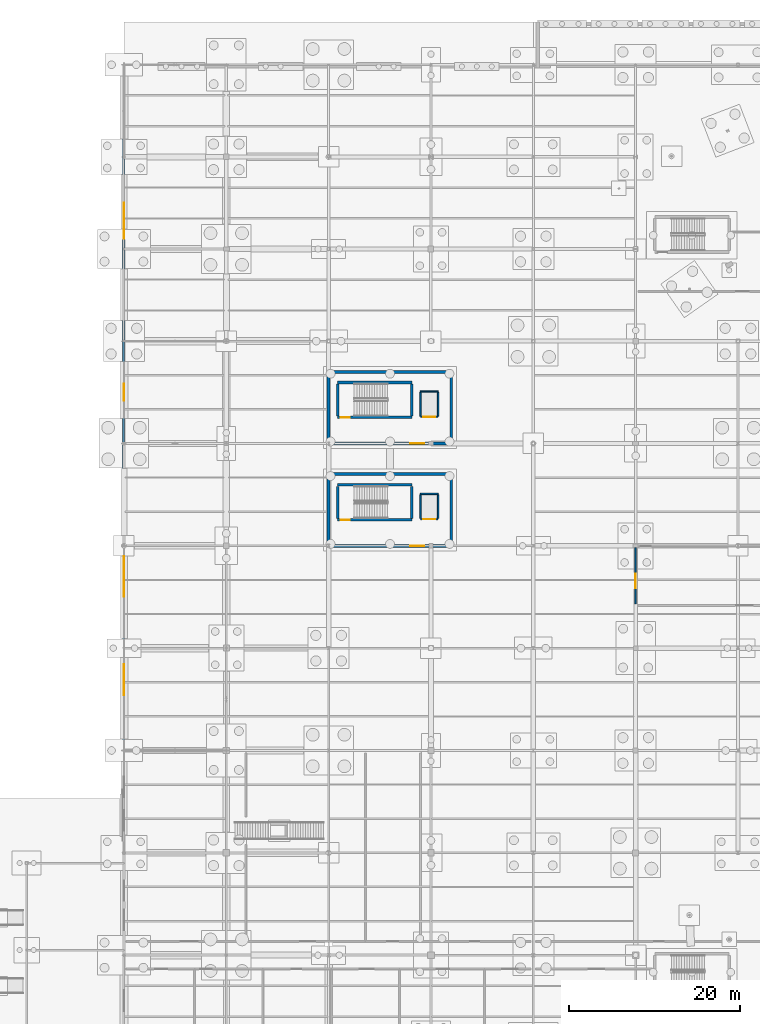
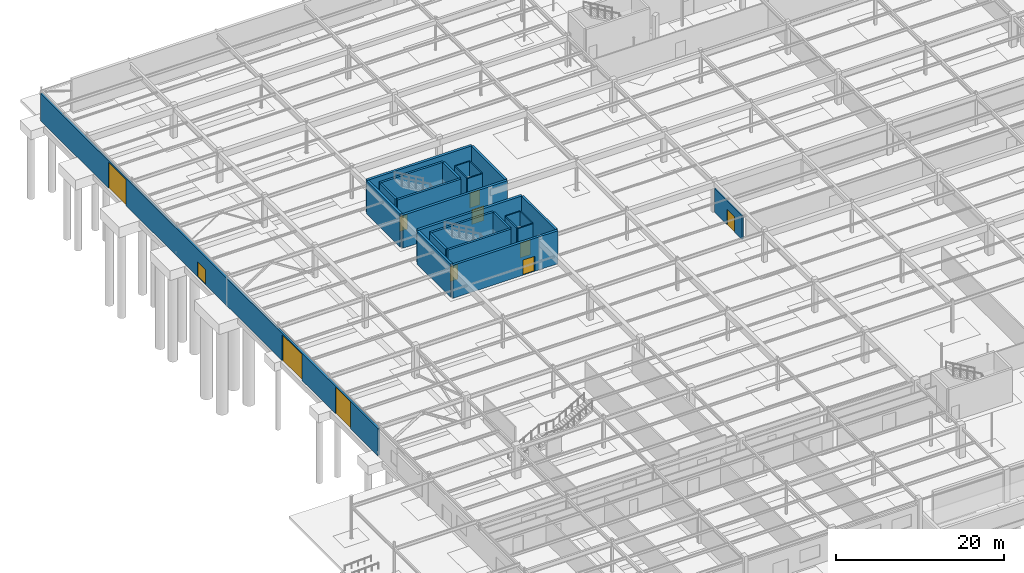
# One storey, part 121 of 136: 26 walls, 11 doors, 11 openings.
"""IFC4 building model written with IfcOpenShell, lengths in metres."""

from ifc_helpers import new_model, si_unit, direction, frame, frame_2d, origin, place, context, subcontext, project, spatial, rectangle, extrude, material, layer, layer_set, type_object, element, fill, save


model = new_model("IFC4")

# Units and contexts
model_context = context("Model", 3, precision=1e-05, world=origin(), true_north=direction((0.0, 1.0)))
body_context = subcontext(model_context, "Body", "Model", "MODEL_VIEW")
ifc_project = project(units=[si_unit("LENGTHUNIT", "METRE"), si_unit("AREAUNIT", "SQUARE_METRE"), si_unit("VOLUMEUNIT", "CUBIC_METRE"), si_unit("PLANEANGLEUNIT", "RADIAN"), si_unit("MASSUNIT", "GRAM", prefix="KILO")], contexts=[model_context])

# Site, building, storey
site_placement = place(None, origin())
site = spatial("IfcSite", under=ifc_project, at=site_placement, CompositionType="ELEMENT")
building_placement = place(site_placement, origin())
building = spatial("IfcBuilding", under=site, at=building_placement, Name="Tarnwether General Hospital", CompositionType="ELEMENT")
storey_placement = place(building_placement, frame((0.0, 0.0, -4.800048828125)))
storey = spatial("IfcBuildingStorey", under=building, at=storey_placement, Name="LG", CompositionType="ELEMENT", Elevation=-4.800048828125)

# Wall, openings, doors
ifc_material_1 = material(Name="Precast concrete 40 MPa", Category="concrete")
ifc_layer_1 = layer(ifc_material_1, 0.280029296875)
ifc_layer_set_1 = layer_set([ifc_layer_1], Name="Precast concrete 40 MPa")
wall_type_1 = type_object("IfcWallType", Name="WL-EX280", PredefinedType="STANDARD", material=ifc_layer_set_1)
wall_1_placement = place(storey_placement, frame((0.0, 45.60009765625, 0.0), z_axis=(0.0, 0.0, 1.0), x_axis=(0.0, 1.0, 0.0)))
wall_1 = element("IfcWall", 1, at=wall_1_placement, inside=storey, type_object=wall_type_1, Name="LG Car Park and Service West Wall EW-LG-0277", PredefinedType="STANDARD", context=body_context, shape_type="SweptSolid", body=[
    extrude(rectangle(XDim=80.39990234375, YDim=0.280029296875, at=frame_2d((40.199951171875, 0.0))), origin(), (0.0, 0.0, 1.0), 3.97998046875),
])
opening_1_placement = place(wall_1_placement, frame((6.5, 0.0, 0.0)))
opening_1 = element("IfcOpeningElement", 2, at=opening_1_placement, cuts=wall_1, Name="Opening VG-03", PredefinedType="OPENING", context=body_context, shape_type="SweptSolid", body=[
    extrude(rectangle(XDim=3.60009765625, YDim=3.89990234375, at=frame_2d((1.800048828125, 1.949951171875))), frame((0.0, 0.14990234375, 0.0), z_axis=(0.0, -1.0, 0.0), x_axis=(1.0, 0.0, 0.0)), (0.0, 0.0, 1.0), 0.300048828125),
])
opening_2_placement = place(wall_1_placement, frame((18.0, 0.0, 0.0)))
opening_2 = element("IfcOpeningElement", 3, at=opening_2_placement, cuts=wall_1, Name="Opening VG-01", PredefinedType="OPENING", context=body_context, shape_type="SweptSolid", body=[
    extrude(rectangle(XDim=4.800048828125, YDim=3.800048828125, at=frame_2d((2.39990234375, 1.89990234375))), frame((0.0, 0.14990234375, 0.0), z_axis=(0.0, -1.0, 0.0), x_axis=(1.0, 0.0, 0.0)), (0.0, 0.0, 1.0), 0.300048828125),
])
opening_3_placement = place(wall_1_placement, frame((60.0, 0.0, 0.0)))
opening_3 = element("IfcOpeningElement", 4, at=opening_3_placement, cuts=wall_1, Name="Opening VG-02", PredefinedType="OPENING", context=body_context, shape_type="SweptSolid", body=[
    extrude(rectangle(XDim=4.199951171875, YDim=3.800048828125, at=frame_2d((2.10009765625, 1.89990234375))), frame((0.0, 0.14990234375, 0.0), z_axis=(0.0, -1.0, 0.0), x_axis=(1.0, 0.0, 0.0)), (0.0, 0.0, 1.0), 0.300048828125),
])
opening_4_placement = place(wall_1_placement, frame((41.0, 0.0, 0.0)))
opening_4 = element("IfcOpeningElement", 5, at=opening_4_placement, cuts=wall_1, Name="Opening ED-04", PredefinedType="OPENING", context=body_context, shape_type="SweptSolid", body=[
    extrude(rectangle(XDim=2.02001953125, YDim=2.199951171875, at=frame_2d((1.010009765625, 1.10009765625))), frame((0.0, 0.14990234375, 0.0), z_axis=(0.0, -1.0, 0.0), x_axis=(1.0, 0.0, 0.0)), (0.0, 0.0, 1.0), 0.300048828125),
])
ifc_material_2 = material(Name="Anodised aluminium", Category="aluminium")
door_type_1 = type_object("IfcDoorType", Name="DR-EX04", OperationType="NOTDEFINED", PredefinedType="DOOR", material=ifc_material_2)
door_1_placement = place(opening_4_placement, origin())
door_1 = element("IfcDoor", 6, at=door_1_placement, inside=storey, type_object=door_type_1, Name="LG West Stair Discharge Exit ED-LG-0009", OperationType="DOUBLE_DOOR_SINGLE_SWING", OverallHeight=2.199951171875, OverallWidth=2.02001953125, PredefinedType="DOOR", context=body_context, shape_type="SweptSolid", body=[
    extrude(rectangle(XDim=2.02001953125, YDim=2.199951171875, at=frame_2d((1.010009765625, 1.10009765625))), frame((0.0, 0.02490234375, 0.0), z_axis=(0.0, -1.0, 0.0), x_axis=(1.0, 0.0, 0.0)), (0.0, 0.0, 1.0), 0.050048828125),
])
fill(opening_4, door_1)
ifc_material_3 = material(Name="Anodised aluminium", Category="aluminium")
door_type_2 = type_object("IfcDoorType", Name="DR-GT01", OperationType="NOTDEFINED", PredefinedType="GATE", material=ifc_material_3)
door_2_placement = place(opening_2_placement, origin())
door_2 = element("IfcDoor", 7, at=door_2_placement, inside=storey, type_object=door_type_2, Name="LG Car Park Vehicle Entry Gate ED-LG-0007", OperationType="SLIDING_TO_LEFT", OverallHeight=3.800048828125, OverallWidth=4.800048828125, PredefinedType="GATE", context=body_context, shape_type="SweptSolid", body=[
    extrude(rectangle(XDim=4.800048828125, YDim=3.800048828125, at=frame_2d((2.39990234375, 1.89990234375))), frame((0.0, 0.02490234375, 0.0), z_axis=(0.0, -1.0, 0.0), x_axis=(1.0, 0.0, 0.0)), (0.0, 0.0, 1.0), 0.050048828125),
])
fill(opening_2, door_2)
ifc_material_4 = material(Name="Anodised aluminium", Category="aluminium")
door_type_3 = type_object("IfcDoorType", Name="DR-GT02", OperationType="NOTDEFINED", PredefinedType="GATE", material=ifc_material_4)
door_3_placement = place(opening_3_placement, origin())
door_3 = element("IfcDoor", 8, at=door_3_placement, inside=storey, type_object=door_type_3, Name="LG Car Park Vehicle Exit Gate ED-LG-0008", OperationType="SLIDING_TO_RIGHT", OverallHeight=3.800048828125, OverallWidth=4.199951171875, PredefinedType="GATE", context=body_context, shape_type="SweptSolid", body=[
    extrude(rectangle(XDim=4.199951171875, YDim=3.800048828125, at=frame_2d((2.10009765625, 1.89990234375))), frame((0.0, 0.02490234375, 0.0), z_axis=(0.0, -1.0, 0.0), x_axis=(1.0, 0.0, 0.0)), (0.0, 0.0, 1.0), 0.050048828125),
])
fill(opening_3, door_3)
ifc_material_5 = material(Name="Anodised aluminium", Category="aluminium")
door_type_4 = type_object("IfcDoorType", Name="DR-GT03", OperationType="NOTDEFINED", PredefinedType="GATE", material=ifc_material_5)
door_4_placement = place(opening_1_placement, origin())
door_4 = element("IfcDoor", 9, at=door_4_placement, inside=storey, type_object=door_type_4, Name="LG Loading Dock Shutter Gate ED-LG-0006", OperationType="SLIDING_TO_LEFT", OverallHeight=3.89990234375, OverallWidth=3.60009765625, PredefinedType="GATE", context=body_context, shape_type="SweptSolid", body=[
    extrude(rectangle(XDim=3.60009765625, YDim=3.89990234375, at=frame_2d((1.800048828125, 1.949951171875))), frame((0.0, 0.02490234375, 0.0), z_axis=(0.0, -1.0, 0.0), x_axis=(1.0, 0.0, 0.0)), (0.0, 0.0, 1.0), 0.050048828125),
])
fill(opening_1, door_4)

# Wall, opening, door
ifc_material_6 = material(Name="Gypsum plasterboard")
ifc_layer_2 = layer(ifc_material_6, 0.159912109375)
ifc_layer_set_2 = layer_set([ifc_layer_2], Name="Gypsum plasterboard")
wall_type_2 = type_object("IfcWallType", Name="WL-PT160", PredefinedType="PARTITIONING", material=ifc_layer_set_2)
wall_2_placement = place(storey_placement, frame((34.760009765625, 72.7099609375, 0.0), z_axis=(0.0, 0.0, 1.0), x_axis=(1.0, 0.0, 0.0)))
wall_2 = element("IfcWall", 10, at=wall_2_placement, inside=storey, type_object=wall_type_2, Name="Lift L-07 Shaft Wall LSH-L-07-LG-S", PredefinedType="PARTITIONING", context=body_context, shape_type="SweptSolid", body=[
    extrude(rectangle(XDim=2.080078125, YDim=0.159912109375, at=frame_2d((1.0400390625, 0.0))), origin(), (0.0, 0.0, 1.0), 4.429931640625),
])
opening_5_placement = place(wall_2_placement, frame((0.340087890625, 0.0, 0.0)))
opening_5 = element("IfcOpeningElement", 11, at=opening_5_placement, cuts=wall_2, Name="Opening LD-01", PredefinedType="OPENING", context=body_context, shape_type="SweptSolid", body=[
    extrude(rectangle(XDim=1.39990234375, YDim=2.199951171875, at=frame_2d((0.699951171875, 1.10009765625))), frame((0.0, 0.08984375, 0.0), z_axis=(0.0, -1.0, 0.0), x_axis=(1.0, 0.0, 0.0)), (0.0, 0.0, 1.0), 0.179931640625),
])
ifc_material_7 = material(Name="Anodised aluminium", Category="aluminium")
door_type_5 = type_object("IfcDoorType", Name="DR-LD01", OperationType="NOTDEFINED", PredefinedType="DOOR", material=ifc_material_7)
door_5_placement = place(opening_5_placement, origin())
door_5 = element("IfcDoor", 12, at=door_5_placement, inside=storey, type_object=door_type_5, Name="Lift L-07 Sliding Landing Door LG", OperationType="SLIDING_TO_LEFT", OverallHeight=2.199951171875, OverallWidth=1.39990234375, PredefinedType="DOOR", context=body_context, shape_type="SweptSolid", body=[
    extrude(rectangle(XDim=1.39990234375, YDim=2.199951171875, at=frame_2d((0.699951171875, 1.10009765625))), frame((0.0, 0.02490234375, 0.0), z_axis=(0.0, -1.0, 0.0), x_axis=(1.0, 0.0, 0.0)), (0.0, 0.0, 1.0), 0.050048828125),
])
fill(opening_5, door_5)

# Walls
wall_3_placement = place(storey_placement, frame((36.840087890625, 75.68994140625, 0.0), z_axis=(0.0, 0.0, 1.0), x_axis=(-1.0, 0.0, 0.0)))
element("IfcWall", 13, at=wall_3_placement, inside=storey, type_object=wall_type_2, Name="Lift L-07 Shaft Wall LSH-L-07-LG-N", PredefinedType="PARTITIONING", context=body_context, shape_type="SweptSolid", body=[
    extrude(rectangle(XDim=2.080078125, YDim=0.159912109375, at=frame_2d((1.0400390625, 0.0))), origin(), (0.0, 0.0, 1.0), 4.429931640625),
])
for number, where, z_axis, x_axis, name in (
    (14, (34.760009765625, 75.590087890625, 0.0), (0.0, 0.0, 1.0), (0.0, -1.0, 0.0), "Lift L-07 Shaft Wall LSH-L-07-LG-W"),
    (15, (36.840087890625, 72.81005859375, 0.0), (0.0, 0.0, 1.0), (0.0, 1.0, 0.0), "Lift L-07 Shaft Wall LSH-L-07-LG-E"),
):
    element("IfcWall", number, at=place(storey_placement, frame(where, z_axis=z_axis, x_axis=x_axis)), inside=storey, type_object=wall_type_2, Name=name, PredefinedType="PARTITIONING", context=body_context, shape_type="SweptSolid", body=[
        extrude(rectangle(XDim=2.780029296875, YDim=0.159912109375, at=frame_2d((1.39013671875, 0.0))), origin(), (0.0, 0.0, 1.0), 4.429931640625),
    ])

# Wall, opening, door
wall_4_placement = place(storey_placement, frame((34.760009765625, 84.7099609375, 0.0), z_axis=(0.0, 0.0, 1.0), x_axis=(1.0, 0.0, 0.0)))
wall_4 = element("IfcWall", 16, at=wall_4_placement, inside=storey, type_object=wall_type_2, Name="Lift L-08 Shaft Wall LSH-L-08-LG-S", PredefinedType="PARTITIONING", context=body_context, shape_type="SweptSolid", body=[
    extrude(rectangle(XDim=2.080078125, YDim=0.159912109375, at=frame_2d((1.0400390625, 0.0))), origin(), (0.0, 0.0, 1.0), 4.429931640625),
])
opening_6_placement = place(wall_4_placement, frame((0.340087890625, 0.0, 0.0)))
opening_6 = element("IfcOpeningElement", 17, at=opening_6_placement, cuts=wall_4, Name="Opening LD-01", PredefinedType="OPENING", context=body_context, shape_type="SweptSolid", body=[
    extrude(rectangle(XDim=1.39990234375, YDim=2.199951171875, at=frame_2d((0.699951171875, 1.10009765625))), frame((0.0, 0.08984375, 0.0), z_axis=(0.0, -1.0, 0.0), x_axis=(1.0, 0.0, 0.0)), (0.0, 0.0, 1.0), 0.179931640625),
])
door_6_placement = place(opening_6_placement, origin())
door_6 = element("IfcDoor", 18, at=door_6_placement, inside=storey, type_object=door_type_5, Name="Lift L-08 Sliding Landing Door LG", OperationType="SLIDING_TO_LEFT", OverallHeight=2.199951171875, OverallWidth=1.39990234375, PredefinedType="DOOR", context=body_context, shape_type="SweptSolid", body=[
    extrude(rectangle(XDim=1.39990234375, YDim=2.199951171875, at=frame_2d((0.699951171875, 1.10009765625))), frame((0.0, 0.02490234375, 0.0), z_axis=(0.0, -1.0, 0.0), x_axis=(1.0, 0.0, 0.0)), (0.0, 0.0, 1.0), 0.050048828125),
])
fill(opening_6, door_6)

# Walls
wall_5_placement = place(storey_placement, frame((36.840087890625, 87.68994140625, 0.0), z_axis=(0.0, 0.0, 1.0), x_axis=(-1.0, 0.0, 0.0)))
element("IfcWall", 19, at=wall_5_placement, inside=storey, type_object=wall_type_2, Name="Lift L-08 Shaft Wall LSH-L-08-LG-N", PredefinedType="PARTITIONING", context=body_context, shape_type="SweptSolid", body=[
    extrude(rectangle(XDim=2.080078125, YDim=0.159912109375, at=frame_2d((1.0400390625, 0.0))), origin(), (0.0, 0.0, 1.0), 4.429931640625),
])
for number, where, z_axis, x_axis, name in (
    (20, (34.760009765625, 87.590087890625, 0.0), (0.0, 0.0, 1.0), (0.0, -1.0, 0.0), "Lift L-08 Shaft Wall LSH-L-08-LG-W"),
    (21, (36.840087890625, 84.81005859375, 0.0), (0.0, 0.0, 1.0), (0.0, 1.0, 0.0), "Lift L-08 Shaft Wall LSH-L-08-LG-E"),
):
    element("IfcWall", number, at=place(storey_placement, frame(where, z_axis=z_axis, x_axis=x_axis)), inside=storey, type_object=wall_type_2, Name=name, PredefinedType="PARTITIONING", context=body_context, shape_type="SweptSolid", body=[
        extrude(rectangle(XDim=2.780029296875, YDim=0.159912109375, at=frame_2d((1.39013671875, 0.0))), origin(), (0.0, 0.0, 1.0), 4.429931640625),
    ])

# Wall, opening, door
ifc_material_8 = material(Name="Gypsum plasterboard")
ifc_layer_3 = layer(ifc_material_8, 0.179931640625)
ifc_layer_set_3 = layer_set([ifc_layer_3], Name="Gypsum plasterboard")
wall_type_3 = type_object("IfcWallType", Name="WL-PT180", PredefinedType="PARTITIONING", material=ifc_layer_set_3)
wall_6_placement = place(storey_placement, frame((60.0, 62.800048828125, 0.0), z_axis=(0.0, 0.0, 1.0), x_axis=(0.0, 1.0, 0.0)))
wall_6 = element("IfcWall", 22, at=wall_6_placement, inside=storey, type_object=wall_type_3, Name="Interior Partition PT-LG-0020", PredefinedType="PARTITIONING", context=body_context, shape_type="SweptSolid", body=[
    extrude(rectangle(XDim=6.599853515625, YDim=0.179931640625, at=frame_2d((3.2998046875, 0.0))), origin(), (0.0, 0.0, 1.0), 3.465087890625),
])
opening_7_placement = place(wall_6_placement, frame((1.800048828125, 0.0, 0.0)))
opening_7 = element("IfcOpeningElement", 23, at=opening_7_placement, cuts=wall_6, Name="Opening FD-07", PredefinedType="OPENING", context=body_context, shape_type="SweptSolid", body=[
    extrude(rectangle(XDim=1.75, YDim=2.25, at=frame_2d((0.875, 1.125))), frame((0.0, 0.10009765625, 0.0), z_axis=(0.0, -1.0, 0.0), x_axis=(1.0, 0.0, 0.0)), (0.0, 0.0, 1.0), 0.199951171875),
])
ifc_material_9 = material(Name="Anodised aluminium", Category="aluminium")
door_type_6 = type_object("IfcDoorType", Name="DR-FD07", OperationType="NOTDEFINED", PredefinedType="DOOR", material=ifc_material_9)
door_7_placement = place(opening_7_placement, origin())
door_7 = element("IfcDoor", 24, at=door_7_placement, inside=storey, type_object=door_type_6, Name="Interior Door DR-LG-0011", OperationType="DOUBLE_DOOR_SINGLE_SWING", OverallHeight=2.25, OverallWidth=1.75, PredefinedType="DOOR", context=body_context, shape_type="SweptSolid", body=[
    extrude(rectangle(XDim=1.75, YDim=2.25, at=frame_2d((0.875, 1.125))), frame((0.0, 0.02490234375, 0.0), z_axis=(0.0, -1.0, 0.0), x_axis=(1.0, 0.0, 0.0)), (0.0, 0.0, 1.0), 0.050048828125),
])
fill(opening_7, door_7)

# Walls
ifc_material_10 = material(Name="Concrete 50 MPa", Category="concrete")
ifc_layer_4 = layer(ifc_material_10, 0.300048828125)
ifc_layer_set_4 = layer_set([ifc_layer_4], Name="Concrete 50 MPa")
wall_type_4 = type_object("IfcWallType", Name="WL-SW300", PredefinedType="SHEAR", material=ifc_layer_set_4)
for number, where, z_axis, x_axis, name in (
    (25, (38.39990234375, 77.800048828125, 0.0), (0.0, 0.0, 1.0), (0.0, -1.0, 0.0), "Core Shear Wall CWALL-K3-LG-E"),
    (26, (38.39990234375, 89.800048828125, 0.0), (0.0, 0.0, 1.0), (0.0, -1.0, 0.0), "Core Shear Wall CWALL-K4-LG-E"),
):
    element("IfcWall", number, at=place(storey_placement, frame(where, z_axis=z_axis, x_axis=x_axis)), inside=storey, type_object=wall_type_4, Name=name, PredefinedType="SHEAR", context=body_context, shape_type="SweptSolid", body=[
        extrude(rectangle(XDim=8.0, YDim=0.300048828125, at=frame_2d((4.0, 0.0))), origin(), (0.0, 0.0, 1.0), 4.800048828125),
    ])

# Wall, opening, door
wall_7_placement = place(storey_placement, frame((25.050048828125, 72.64990234375, 0.0), z_axis=(0.0, 0.0, 1.0), x_axis=(1.0, 0.0, 0.0)))
wall_7 = element("IfcWall", 27, at=wall_7_placement, inside=storey, type_object=wall_type_4, Name="Stairwell Shear Wall STW-ST-03-LG-B", PredefinedType="SHEAR", context=body_context, shape_type="SweptSolid", body=[
    extrude(rectangle(XDim=8.699951171875, YDim=0.300048828125, at=frame_2d((4.35009765625, 0.0))), origin(), (0.0, 0.0, 1.0), 4.800048828125),
])
opening_8_placement = place(wall_7_placement, frame((0.35009765625, 0.0, 0.0)))
opening_8 = element("IfcOpeningElement", 28, at=opening_8_placement, cuts=wall_7, Name="Opening FD-06", PredefinedType="OPENING", context=body_context, shape_type="SweptSolid", body=[
    extrude(rectangle(XDim=1.10009765625, YDim=2.14990234375, at=frame_2d((0.550048828125, 1.074951171875))), frame((0.0, 0.16015625, 0.0), z_axis=(0.0, -1.0, 0.0), x_axis=(1.0, 0.0, 0.0)), (0.0, 0.0, 1.0), 0.320068359375),
])
ifc_material_11 = material(Name="Anodised aluminium", Category="aluminium")
door_type_7 = type_object("IfcDoorType", Name="DR-FD06", OperationType="NOTDEFINED", PredefinedType="DOOR", material=ifc_material_11)
door_8_placement = place(opening_8_placement, origin())
door_8 = element("IfcDoor", 29, at=door_8_placement, inside=storey, type_object=door_type_7, Name="Stairwell ST-03 Safe-Path Fire Door LG", OperationType="SINGLE_SWING_LEFT", OverallHeight=2.14990234375, OverallWidth=1.10009765625, PredefinedType="DOOR", context=body_context, shape_type="SweptSolid", body=[
    extrude(rectangle(XDim=1.10009765625, YDim=2.14990234375, at=frame_2d((0.550048828125, 1.074951171875))), frame((0.0, 0.02490234375, 0.0), z_axis=(0.0, -1.0, 0.0), x_axis=(1.0, 0.0, 0.0)), (0.0, 0.0, 1.0), 0.050048828125),
])
fill(opening_8, door_8)

# Walls
wall_8_placement = place(storey_placement, frame((33.75, 76.75, 0.0), z_axis=(0.0, 0.0, 1.0), x_axis=(-1.0, 0.0, 0.0)))
element("IfcWall", 30, at=wall_8_placement, inside=storey, type_object=wall_type_4, Name="Stairwell Shear Wall STW-ST-03-LG-N", PredefinedType="SHEAR", context=body_context, shape_type="SweptSolid", body=[
    extrude(rectangle(XDim=8.699951171875, YDim=0.300048828125, at=frame_2d((4.35009765625, 0.0))), origin(), (0.0, 0.0, 1.0), 4.800048828125),
])
for number, where, z_axis, x_axis, name in (
    (31, (25.050048828125, 72.820068359375, 0.0), (0.0, 0.0, 1.0), (0.0, 1.0, 0.0), "Stairwell Shear Wall STW-ST-03-LG-L"),
    (32, (33.75, 72.820068359375, 0.0), (0.0, 0.0, 1.0), (0.0, 1.0, 0.0), "Stairwell Shear Wall STW-ST-03-LG-F"),
):
    element("IfcWall", number, at=place(storey_placement, frame(where, z_axis=z_axis, x_axis=x_axis)), inside=storey, type_object=wall_type_4, Name=name, PredefinedType="SHEAR", context=body_context, shape_type="SweptSolid", body=[
        extrude(rectangle(XDim=3.760009765625, YDim=0.300048828125, at=frame_2d((1.8798828125, 0.0))), origin(), (0.0, 0.0, 1.0), 4.800048828125),
    ])

# Wall, opening, door
wall_9_placement = place(storey_placement, frame((25.050048828125, 84.64990234375, 0.0), z_axis=(0.0, 0.0, 1.0), x_axis=(1.0, 0.0, 0.0)))
wall_9 = element("IfcWall", 33, at=wall_9_placement, inside=storey, type_object=wall_type_4, Name="Stairwell Shear Wall STW-ST-04-LG-B", PredefinedType="SHEAR", context=body_context, shape_type="SweptSolid", body=[
    extrude(rectangle(XDim=8.699951171875, YDim=0.300048828125, at=frame_2d((4.35009765625, 0.0))), origin(), (0.0, 0.0, 1.0), 4.800048828125),
])
opening_9_placement = place(wall_9_placement, frame((0.35009765625, 0.0, 0.0)))
opening_9 = element("IfcOpeningElement", 34, at=opening_9_placement, cuts=wall_9, Name="Opening FD-06", PredefinedType="OPENING", context=body_context, shape_type="SweptSolid", body=[
    extrude(rectangle(XDim=1.10009765625, YDim=2.14990234375, at=frame_2d((0.550048828125, 1.074951171875))), frame((0.0, 0.16015625, 0.0), z_axis=(0.0, -1.0, 0.0), x_axis=(1.0, 0.0, 0.0)), (0.0, 0.0, 1.0), 0.320068359375),
])
door_9_placement = place(opening_9_placement, origin())
door_9 = element("IfcDoor", 35, at=door_9_placement, inside=storey, type_object=door_type_7, Name="Stairwell ST-04 Safe-Path Fire Door LG", OperationType="SINGLE_SWING_LEFT", OverallHeight=2.14990234375, OverallWidth=1.10009765625, PredefinedType="DOOR", context=body_context, shape_type="SweptSolid", body=[
    extrude(rectangle(XDim=1.10009765625, YDim=2.14990234375, at=frame_2d((0.550048828125, 1.074951171875))), frame((0.0, 0.02490234375, 0.0), z_axis=(0.0, -1.0, 0.0), x_axis=(1.0, 0.0, 0.0)), (0.0, 0.0, 1.0), 0.050048828125),
])
fill(opening_9, door_9)

# Walls
wall_10_placement = place(storey_placement, frame((33.75, 88.75, 0.0), z_axis=(0.0, 0.0, 1.0), x_axis=(-1.0, 0.0, 0.0)))
element("IfcWall", 36, at=wall_10_placement, inside=storey, type_object=wall_type_4, Name="Stairwell Shear Wall STW-ST-04-LG-N", PredefinedType="SHEAR", context=body_context, shape_type="SweptSolid", body=[
    extrude(rectangle(XDim=8.699951171875, YDim=0.300048828125, at=frame_2d((4.35009765625, 0.0))), origin(), (0.0, 0.0, 1.0), 4.800048828125),
])
for number, where, z_axis, x_axis, name in (
    (37, (25.050048828125, 84.820068359375, 0.0), (0.0, 0.0, 1.0), (0.0, 1.0, 0.0), "Stairwell Shear Wall STW-ST-04-LG-L"),
    (38, (33.75, 84.820068359375, 0.0), (0.0, 0.0, 1.0), (0.0, 1.0, 0.0), "Stairwell Shear Wall STW-ST-04-LG-F"),
):
    element("IfcWall", number, at=place(storey_placement, frame(where, z_axis=z_axis, x_axis=x_axis)), inside=storey, type_object=wall_type_4, Name=name, PredefinedType="SHEAR", context=body_context, shape_type="SweptSolid", body=[
        extrude(rectangle(XDim=3.760009765625, YDim=0.300048828125, at=frame_2d((1.8798828125, 0.0))), origin(), (0.0, 0.0, 1.0), 4.800048828125),
    ])
ifc_material_12 = material(Name="Concrete 50 MPa", Category="concrete")
ifc_layer_5 = layer(ifc_material_12, 0.35009765625)
ifc_layer_set_5 = layer_set([ifc_layer_5], Name="Concrete 50 MPa")
wall_type_5 = type_object("IfcWallType", Name="WL-SW350", PredefinedType="SHEAR", material=ifc_layer_set_5)
wall_11_placement = place(storey_placement, frame((24.0, 78.0, 0.0), z_axis=(0.0, 0.0, 1.0), x_axis=(1.0, 0.0, 0.0)))
element("IfcWall", 39, at=wall_11_placement, inside=storey, type_object=wall_type_5, Name="Core Shear Wall CWALL-K3-LG-N", PredefinedType="SHEAR", context=body_context, shape_type="SweptSolid", body=[
    extrude(rectangle(XDim=14.39990234375, YDim=0.35009765625, at=frame_2d((7.199951171875, 0.0))), origin(), (0.0, 0.0, 1.0), 4.800048828125),
])

# Wall, opening, door
wall_12_placement = place(storey_placement, frame((38.39990234375, 69.60009765625, 0.0), z_axis=(0.0, 0.0, 1.0), x_axis=(-1.0, 0.0, 0.0)))
wall_12 = element("IfcWall", 40, at=wall_12_placement, inside=storey, type_object=wall_type_5, Name="Core Shear Wall CWALL-K3-LG-S", PredefinedType="SHEAR", context=body_context, shape_type="SweptSolid", body=[
    extrude(rectangle(XDim=14.39990234375, YDim=0.35009765625, at=frame_2d((7.199951171875, 0.0))), origin(), (0.0, 0.0, 1.0), 4.800048828125),
])
opening_10_placement = place(wall_12_placement, frame((3.172119140625, 0.0, 0.0)))
opening_10 = element("IfcOpeningElement", 41, at=opening_10_placement, cuts=wall_12, Name="Opening FD-01", PredefinedType="OPENING", context=body_context, shape_type="SweptSolid", body=[
    extrude(rectangle(XDim=1.639892578125, YDim=2.199951171875, at=frame_2d((0.81982421875, 1.10009765625))), frame((0.0, 0.18505859375, 0.0), z_axis=(0.0, -1.0, 0.0), x_axis=(1.0, 0.0, 0.0)), (0.0, 0.0, 1.0), 0.3701171875),
])
ifc_material_13 = material(Name="Anodised aluminium", Category="aluminium")
door_type_8 = type_object("IfcDoorType", Name="DR-FD01", OperationType="NOTDEFINED", PredefinedType="DOOR", material=ifc_material_13)
door_10_placement = place(opening_10_placement, origin())
door_10 = element("IfcDoor", 42, at=door_10_placement, inside=storey, type_object=door_type_8, Name="Core K3 Lobby Fire Door LG", OperationType="DOUBLE_DOOR_SINGLE_SWING", OverallHeight=2.199951171875, OverallWidth=1.639892578125, PredefinedType="DOOR", context=body_context, shape_type="SweptSolid", body=[
    extrude(rectangle(XDim=1.639892578125, YDim=2.199951171875, at=frame_2d((0.81982421875, 1.10009765625))), frame((0.0, 0.02490234375, 0.0), z_axis=(0.0, -1.0, 0.0), x_axis=(1.0, 0.0, 0.0)), (0.0, 0.0, 1.0), 0.050048828125),
])
fill(opening_10, door_10)

# Walls
wall_13_placement = place(storey_placement, frame((24.0, 69.800048828125, 0.0), z_axis=(0.0, 0.0, 1.0), x_axis=(0.0, 1.0, 0.0)))
element("IfcWall", 43, at=wall_13_placement, inside=storey, type_object=wall_type_5, Name="Core Shear Wall CWALL-K3-LG-W", PredefinedType="SHEAR", context=body_context, shape_type="SweptSolid", body=[
    extrude(rectangle(XDim=8.0, YDim=0.35009765625, at=frame_2d((4.0, 0.0))), origin(), (0.0, 0.0, 1.0), 4.800048828125),
])
wall_14_placement = place(storey_placement, frame((24.0, 90.0, 0.0), z_axis=(0.0, 0.0, 1.0), x_axis=(1.0, 0.0, 0.0)))
element("IfcWall", 44, at=wall_14_placement, inside=storey, type_object=wall_type_5, Name="Core Shear Wall CWALL-K4-LG-N", PredefinedType="SHEAR", context=body_context, shape_type="SweptSolid", body=[
    extrude(rectangle(XDim=14.39990234375, YDim=0.35009765625, at=frame_2d((7.199951171875, 0.0))), origin(), (0.0, 0.0, 1.0), 4.800048828125),
])

# Wall, opening, door
wall_15_placement = place(storey_placement, frame((38.39990234375, 81.60009765625, 0.0), z_axis=(0.0, 0.0, 1.0), x_axis=(-1.0, 0.0, 0.0)))
wall_15 = element("IfcWall", 45, at=wall_15_placement, inside=storey, type_object=wall_type_5, Name="Core Shear Wall CWALL-K4-LG-S", PredefinedType="SHEAR", context=body_context, shape_type="SweptSolid", body=[
    extrude(rectangle(XDim=14.39990234375, YDim=0.35009765625, at=frame_2d((7.199951171875, 0.0))), origin(), (0.0, 0.0, 1.0), 4.800048828125),
])
opening_11_placement = place(wall_15_placement, frame((3.172119140625, 0.0, 0.0)))
opening_11 = element("IfcOpeningElement", 46, at=opening_11_placement, cuts=wall_15, Name="Opening FD-01", PredefinedType="OPENING", context=body_context, shape_type="SweptSolid", body=[
    extrude(rectangle(XDim=1.639892578125, YDim=2.199951171875, at=frame_2d((0.81982421875, 1.10009765625))), frame((0.0, 0.18505859375, 0.0), z_axis=(0.0, -1.0, 0.0), x_axis=(1.0, 0.0, 0.0)), (0.0, 0.0, 1.0), 0.3701171875),
])
door_11_placement = place(opening_11_placement, origin())
door_11 = element("IfcDoor", 47, at=door_11_placement, inside=storey, type_object=door_type_8, Name="Core K4 Lobby Fire Door LG", OperationType="DOUBLE_DOOR_SINGLE_SWING", OverallHeight=2.199951171875, OverallWidth=1.639892578125, PredefinedType="DOOR", context=body_context, shape_type="SweptSolid", body=[
    extrude(rectangle(XDim=1.639892578125, YDim=2.199951171875, at=frame_2d((0.81982421875, 1.10009765625))), frame((0.0, 0.02490234375, 0.0), z_axis=(0.0, -1.0, 0.0), x_axis=(1.0, 0.0, 0.0)), (0.0, 0.0, 1.0), 0.050048828125),
])
fill(opening_11, door_11)

# Wall
wall_16_placement = place(storey_placement, frame((24.0, 81.800048828125, 0.0), z_axis=(0.0, 0.0, 1.0), x_axis=(0.0, 1.0, 0.0)))
element("IfcWall", 48, at=wall_16_placement, inside=storey, type_object=wall_type_5, Name="Core Shear Wall CWALL-K4-LG-W", PredefinedType="SHEAR", context=body_context, shape_type="SweptSolid", body=[
    extrude(rectangle(XDim=8.0, YDim=0.35009765625, at=frame_2d((4.0, 0.0))), origin(), (0.0, 0.0, 1.0), 4.800048828125),
])

save(model, "model.ifc")
